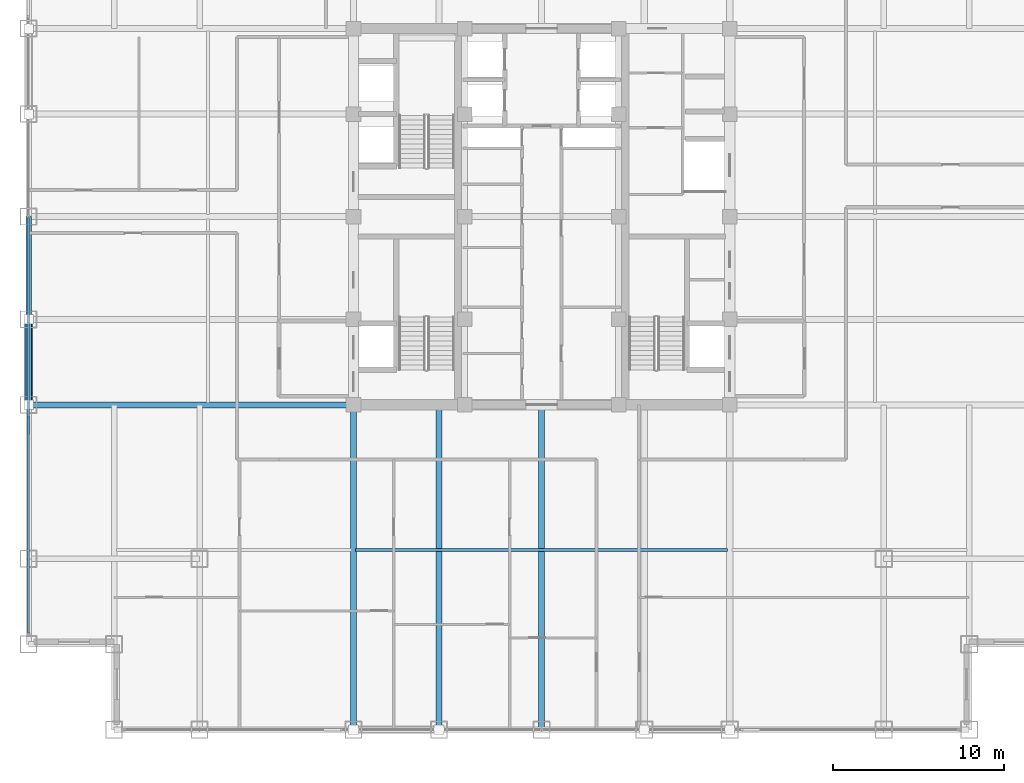
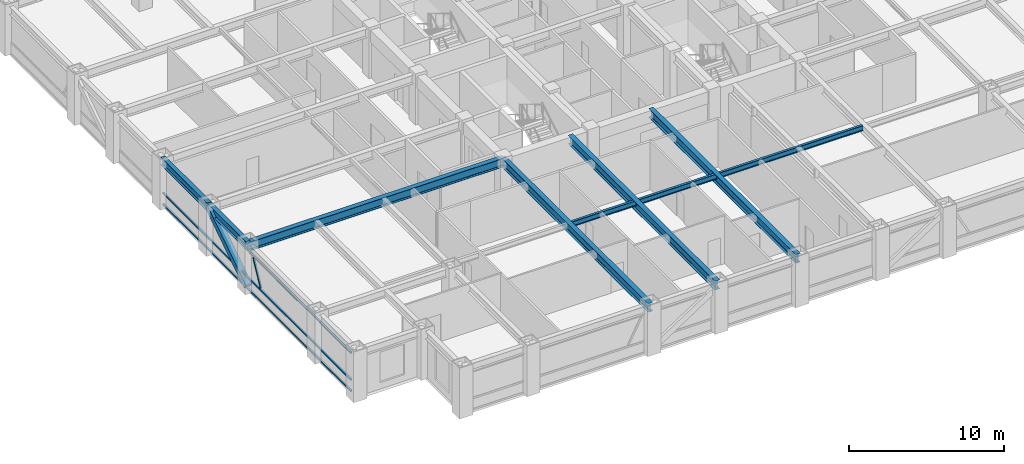
# One storey, part 5 of 24: 7 beams, 5 members, 1 element without a shape of its own.
"""IFC4 building model written with IfcOpenShell, lengths in metres."""

from ifc_helpers import new_model, si_unit, direction, frame, origin, origin_2d, place, context, subcontext, project, spatial, hollow_rectangle, i_section, extrude, source, transform, mapped, material, material_profile, profile_set, type_object, element, aggregate, save


model = new_model("IFC4")

# Units and contexts
model_context = context("Model", 3, precision=1e-05, world=origin(), true_north=direction((0.0, 1.0)))
body_context = subcontext(model_context, "Body", "Model", "MODEL_VIEW")
ifc_project = project(units=[si_unit("LENGTHUNIT", "METRE"), si_unit("AREAUNIT", "SQUARE_METRE"), si_unit("VOLUMEUNIT", "CUBIC_METRE"), si_unit("PLANEANGLEUNIT", "RADIAN"), si_unit("MASSUNIT", "GRAM", prefix="KILO")], contexts=[model_context])

# Site, building, storey
site_placement = place(None, origin())
site = spatial("IfcSite", under=ifc_project, at=site_placement, CompositionType="ELEMENT")
building_placement = place(site_placement, origin())
building = spatial("IfcBuilding", under=site, at=building_placement, Name="Khorayat Bourse Tower", CompositionType="ELEMENT")
storey_placement = place(building_placement, frame((0.0, 0.0, 211.10009765625)))
storey = spatial("IfcBuildingStorey", under=building, at=storey_placement, Name="L49", CompositionType="ELEMENT", Elevation=211.10009765625)

# Beams
ifc_material_1 = material(Name="Steel ASTM A992 Grade 50", Category="steel")
ifc_material_profile_1 = material_profile(ifc_material_1, i_section(OverallWidth=0.180908203125, OverallDepth=0.4169921875, WebThickness=0.010986328125, FlangeThickness=0.018310546875, FilletRadius=0.011962890625, at=origin_2d()), Name="W410X85")
ifc_profile_set_1 = profile_set([ifc_material_profile_1], Name="Steel ASTM A992 Grade 50")
beam_type_1 = type_object("IfcBeamType", Name="BM-JOIST-410", PredefinedType="JOIST", material=ifc_profile_set_1)
shared_shape_1 = source(origin(), body_context, "Body", "SweptSolid", [
    extrude(i_section(OverallWidth=0.180908203125, OverallDepth=0.4169921875, WebThickness=0.010986328125, FlangeThickness=0.018310546875, FilletRadius=0.011962890625, at=origin_2d()), origin(), (0.0, 0.0, 1.0), 21.740234375),
])
beam_1_placement = place(storey_placement, frame((-10.8701171875, -19.5, 3.5712890625), z_axis=(1.0, 0.0, 0.0), x_axis=(0.0, 1.0, 0.0)))
element("IfcBeam", 1, at=beam_1_placement, inside=storey, type_object=beam_type_1, Name="L49 BM-JOIST-410 BM-L49-JSTX-097", PredefinedType="JOIST", context=body_context, shape_type="MappedRepresentation", body=[
    mapped(shared_shape_1, transform((0.0, 0.0, 0.0), scale=1.0)),
])
ifc_material_profile_2 = material_profile(ifc_material_1, i_section(OverallWidth=0.324951171875, OverallDepth=0.615966796875, WebThickness=0.013916015625, FlangeThickness=0.021484375, FilletRadius=0.01611328125, at=origin_2d()), Name="W610X174")
ifc_profile_set_2 = profile_set([ifc_material_profile_2], Name="Steel ASTM A992 Grade 50")
beam_type_2 = type_object("IfcBeamType", Name="BM-SPAN-610", PredefinedType="SPANDREL", material=ifc_profile_set_2)
shared_shape_2 = source(origin(), body_context, "Body", "SweptSolid", [
    extrude(i_section(OverallWidth=0.324951171875, OverallDepth=0.615966796875, WebThickness=0.013916015625, FlangeThickness=0.021484375, FilletRadius=0.01611328125, at=origin_2d()), origin(), (0.0, 0.0, 1.0), 5.0),
])
beam_2_placement = place(storey_placement, frame((-30.0, -11.0, 3.471923828125), z_axis=(0.0, 1.0, 0.0), x_axis=(-1.0, 0.0, 0.0)))
element("IfcBeam", 2, at=beam_2_placement, inside=storey, type_object=beam_type_2, Name="L49 BM-SPAN-610 BM-L49-SPN-059", PredefinedType="SPANDREL", context=body_context, shape_type="MappedRepresentation", body=[
    mapped(shared_shape_2, transform((0.0, 0.0, 0.0), scale=1.0)),
])
shared_shape_3 = source(origin(), body_context, "Body", "SweptSolid", [
    extrude(i_section(OverallWidth=0.324951171875, OverallDepth=0.615966796875, WebThickness=0.013916015625, FlangeThickness=0.021484375, FilletRadius=0.01611328125, at=origin_2d()), origin(), (0.0, 0.0, 1.0), 6.0),
])
beam_3_placement = place(storey_placement, frame((-30.0, -6.0, 3.471923828125), z_axis=(0.0, 1.0, 0.0), x_axis=(-1.0, 0.0, 0.0)))
element("IfcBeam", 3, at=beam_3_placement, inside=storey, type_object=beam_type_2, Name="L49 BM-SPAN-610 BM-L49-SPN-058", PredefinedType="SPANDREL", context=body_context, shape_type="MappedRepresentation", body=[
    mapped(shared_shape_3, transform((0.0, 0.0, 0.0), scale=1.0)),
])
ifc_material_profile_3 = material_profile(ifc_material_1, i_section(OverallWidth=0.35498046875, OverallDepth=0.695068359375, WebThickness=0.015380859375, FlangeThickness=0.02490234375, FilletRadius=0.01806640625, at=origin_2d()), Name="W690X217")
ifc_profile_set_3 = profile_set([ifc_material_profile_3], Name="Steel ASTM A992 Grade 50")
beam_type_3 = type_object("IfcBeamType", Name="BM-GIRD-690", PredefinedType="BEAM", material=ifc_profile_set_3)
shared_shape_4 = source(origin(), body_context, "Body", "SweptSolid", [
    extrude(i_section(OverallWidth=0.35498046875, OverallDepth=0.695068359375, WebThickness=0.015380859375, FlangeThickness=0.02490234375, FilletRadius=0.01806640625, at=origin_2d()), origin(), (0.0, 0.0, 1.0), 19.0),
])
for number, where, z_axis, x_axis, name in (
    (4, (-11.0, -30.0, 3.432373046875), (0.0, 1.0, 0.0), (-1.0, 0.0, 0.0), "L49 BM-GIRD-690 BM-L49-RADY-065"),
    (5, (-6.0, -30.0, 3.432373046875), (0.0, 1.0, 0.0), (-1.0, 0.0, 0.0), "L49 BM-GIRD-690 BM-L49-RADY-067"),
    (6, (0.0, -30.0, 3.432373046875), (0.0, 1.0, 0.0), (-1.0, 0.0, 0.0), "L49 BM-GIRD-690 BM-L49-RADY-069"),
    (7, (-30.0, -11.0, 3.432373046875), (1.0, 0.0, 0.0), (0.0, 1.0, 0.0), "L49 BM-GIRD-690 BM-L49-RADX-075"),
):
    element("IfcBeam", number, at=place(storey_placement, frame(where, z_axis=z_axis, x_axis=x_axis)), inside=storey, type_object=beam_type_3, Name=name, PredefinedType="BEAM", context=body_context, shape_type="MappedRepresentation", body=[
        mapped(shared_shape_4, transform((0.0, 0.0, 0.0), scale=1.0)),
    ])

# Member
ifc_material_2 = material(Name="Steel EN 10025-4 S460M", Category="steel")
ifc_material_profile_4 = material_profile(ifc_material_2, hollow_rectangle(XDim=0.449951171875, YDim=0.449951171875, WallThickness=0.02490234375, at=origin_2d()), Name="HSS 450x450x25")
ifc_profile_set_4 = profile_set([ifc_material_profile_4], Name="Steel EN 10025-4 S460M")
member_type_1 = type_object("IfcMemberType", Name="MBR-TUBE-450", PredefinedType="BRACE", material=ifc_profile_set_4)
shared_shape_5 = source(origin(), body_context, "Body", "SweptSolid", [
    extrude(hollow_rectangle(XDim=0.449951171875, YDim=0.449951171875, WallThickness=0.02490234375, at=origin_2d()), origin(), (0.0, 0.0, 1.0), 5.979736328125),
])
member_1_placement = place(storey_placement, frame((-30.0, -11.0, 0.25), z_axis=(0.0, 0.836160261256, 0.548485202623), x_axis=(-1.0, 0.0, 0.0)))
element("IfcMember", 8, at=member_1_placement, inside=storey, type_object=member_type_1, Name="L49 Perimeter Tube Brace 05", PredefinedType="BRACE", context=body_context, shape_type="MappedRepresentation", body=[
    mapped(shared_shape_5, transform((0.0, 0.0, 0.0), scale=1.0)),
])

# Curtain wall, members
ifc_material_3 = material(Name="Aluminium EN AW-6063 T6", Category="aluminium")
curtain_wall_type = type_object("IfcCurtainWallType", Name="CW-SYS-03", PredefinedType="NOTDEFINED", material=ifc_material_3)
curtain_wall_placement = place(storey_placement, origin())
curtain_wall = element("IfcCurtainWall", 9, at=curtain_wall_placement, inside=storey, type_object=curtain_wall_type, Name="L49 Curtain Wall CW-L49-W1", PredefinedType="NOTDEFINED")
ifc_material_profile_5 = material_profile(ifc_material_3, hollow_rectangle(XDim=0.1201171875, YDim=0.1201171875, WallThickness=0.0048828125, at=origin_2d()), Name="ALU 120x120x5")
ifc_profile_set_5 = profile_set([ifc_material_profile_5], Name="Aluminium EN AW-6063 T6")
member_type_2 = type_object("IfcMemberType", Name="CWM-DIAG-120", PredefinedType="MULLION", material=ifc_profile_set_5)
shared_shape_6 = source(origin(), body_context, "Body", "SweptSolid", [
    extrude(hollow_rectangle(XDim=0.1201171875, YDim=0.1201171875, WallThickness=0.0048828125, at=origin_2d()), origin(), (0.0, 0.0, 1.0), 2.079345703125),
])
member_2_placement = place(storey_placement, frame((-30.0, -12.67919921875, 1.08984375), z_axis=(0.0, 0.465760949701, 0.884910581773), x_axis=(-1.0, 0.0, 0.0)))
member_2 = element("IfcMember", 10, at=member_2_placement, type_object=member_type_2, Name="CW-L49-W1 Faceted Diagonal Mullion 1", PredefinedType="MULLION", context=body_context, shape_type="MappedRepresentation", body=[
    mapped(shared_shape_6, transform((0.0, 0.0, 0.0), scale=1.0)),
])
ifc_material_profile_6 = material_profile(ifc_material_3, hollow_rectangle(XDim=0.1201171875, YDim=0.1201171875, WallThickness=0.0048828125, at=origin_2d()), Name="ALU 120x120x5")
ifc_profile_set_6 = profile_set([ifc_material_profile_6], Name="Aluminium EN AW-6063 T6")
member_type_3 = type_object("IfcMemberType", Name="CWT-HORZ-120", PredefinedType="USERDEFINED", material=ifc_profile_set_6)
shared_shape_7 = source(origin(), body_context, "Body", "SweptSolid", [
    extrude(hollow_rectangle(XDim=0.1201171875, YDim=0.1201171875, WallThickness=0.0048828125, at=origin_2d()), origin(), (0.0, 0.0, 1.0), 24.27001953125),
])
member_3_placement = place(storey_placement, frame((-30.0, -24.330078125, 0.059814453125), z_axis=(0.0, 1.0, 0.0), x_axis=(-1.0, 0.0, 0.0)))
member_3 = element("IfcMember", 11, at=member_3_placement, type_object=member_type_3, Name="CW-L49-W1 Horizontal Transom 1-1", ObjectType="TRANSOM", PredefinedType="USERDEFINED", context=body_context, shape_type="MappedRepresentation", body=[
    mapped(shared_shape_7, transform((0.0, 0.0, 0.0), scale=1.0)),
])
member_4_placement = place(storey_placement, frame((-30.0, -24.330078125, 0.949951171875), z_axis=(0.0, 1.0, 0.0), x_axis=(-1.0, 0.0, 0.0)))
member_4 = element("IfcMember", 12, at=member_4_placement, type_object=member_type_3, Name="CW-L49-W1 Horizontal Transom 1-2", ObjectType="TRANSOM", PredefinedType="USERDEFINED", context=body_context, shape_type="MappedRepresentation", body=[
    mapped(shared_shape_7, transform((0.0, 0.0, 0.0), scale=1.0)),
])
member_5_placement = place(storey_placement, frame((-30.0, -24.330078125, 3.06982421875), z_axis=(0.0, 1.0, 0.0), x_axis=(-1.0, 0.0, 0.0)))
member_5 = element("IfcMember", 13, at=member_5_placement, type_object=member_type_3, Name="CW-L49-W1 Horizontal Transom 1-3", ObjectType="TRANSOM", PredefinedType="USERDEFINED", context=body_context, shape_type="MappedRepresentation", body=[
    mapped(shared_shape_7, transform((0.0, 0.0, 0.0), scale=1.0)),
])
aggregate(curtain_wall, [member_3, member_4, member_5, member_2])

save(model, "model.ifc")
